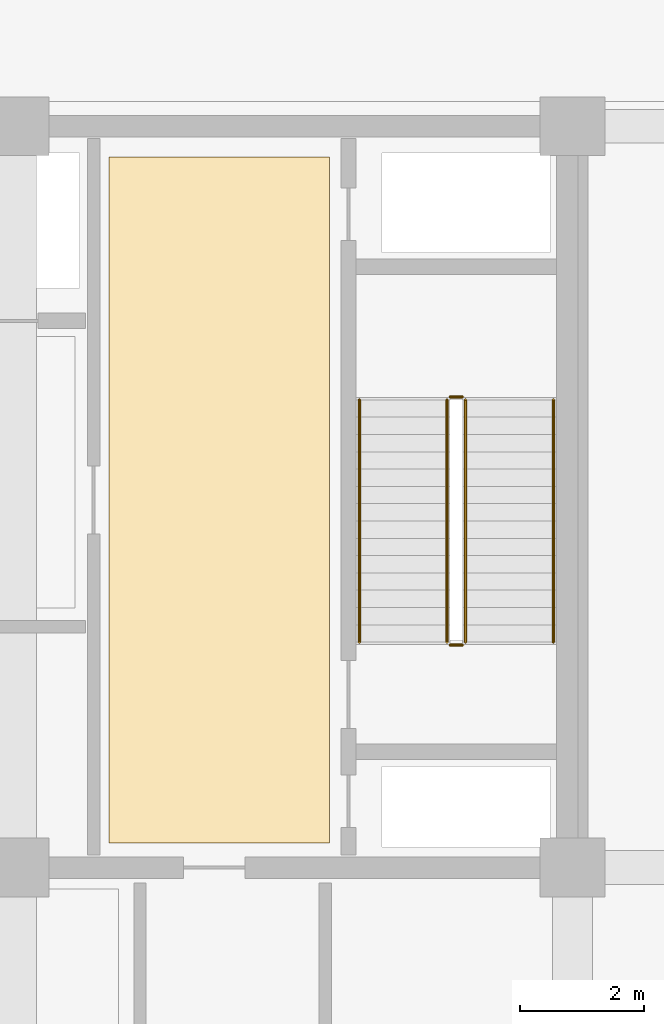
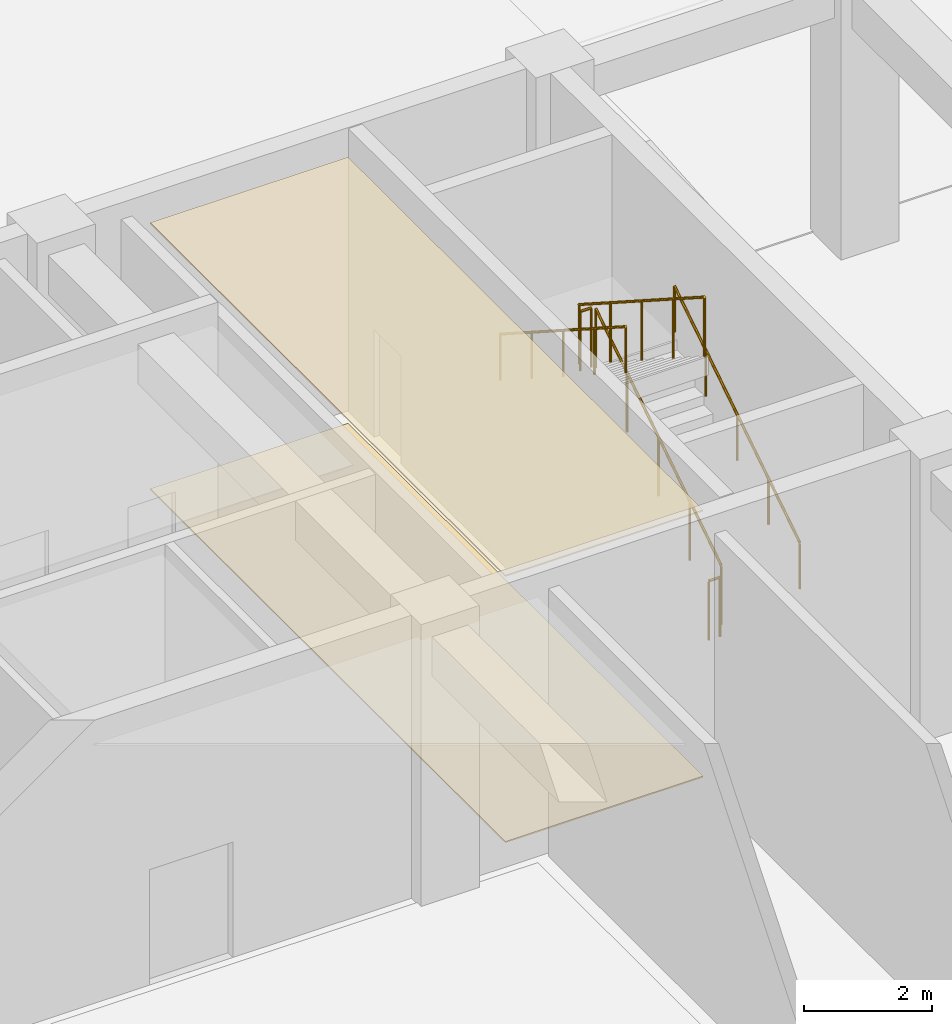
# One storey, part 37 of 46: 6 railings, 2 coverings.
"""IFC4 building model written with IfcOpenShell, lengths in metres."""

from ifc_helpers import new_model, si_unit, direction, frame, origin, origin_2d, place, context, subcontext, project, spatial, polyline, circle, outline, extrude, material, layer, layer_set, type_object, element, save


model = new_model("IFC4")

# Units and contexts
model_context = context("Model", 3, precision=1e-05, world=origin(), true_north=direction((0.0, 1.0)))
body_context = subcontext(model_context, "Body", "Model", "MODEL_VIEW")
ifc_project = project(units=[si_unit("LENGTHUNIT", "METRE"), si_unit("AREAUNIT", "SQUARE_METRE"), si_unit("VOLUMEUNIT", "CUBIC_METRE"), si_unit("PLANEANGLEUNIT", "RADIAN"), si_unit("MASSUNIT", "GRAM", prefix="KILO")], contexts=[model_context])

# Site, building, storey
site_placement = place(None, origin())
site = spatial("IfcSite", under=ifc_project, at=site_placement, CompositionType="ELEMENT")
building_placement = place(site_placement, origin())
building = spatial("IfcBuilding", under=site, at=building_placement, Name="Korimba Cascade Residences", CompositionType="ELEMENT")
storey_placement = place(building_placement, origin())
storey = spatial("IfcBuildingStorey", under=building, at=storey_placement, Name="L00", CompositionType="ELEMENT", Elevation=0.0)

# Coverings
ifc_material_1 = material(Name="Perforated Acoustic Gypsum Ceiling", Category="gypsum")
ifc_layer_1 = layer(ifc_material_1, 0.02490234375)
ifc_layer_set_1 = layer_set([ifc_layer_1], Name="Perforated Acoustic Gypsum Ceiling")
covering_type_1 = type_object("IfcCoveringType", Name="COV-CLG-AC", PredefinedType="CEILING", material=ifc_layer_set_1)
covering_1_placement = place(storey_placement, frame((0.0, 0.0, 5.074951171875)))
element("IfcCovering", 1, at=covering_1_placement, inside=storey, type_object=covering_type_1, Name="L00 Suspended Acoustic Ceiling L00-EV2", PredefinedType="CEILING", context=body_context, shape_type="SweptSolid", body=[
    extrude(outline(polyline([(110.60009765625, 18.800048828125), (114.169921875, 18.800048828125), (114.169921875, 29.89990234375), (110.60009765625, 29.89990234375), (110.60009765625, 18.800048828125)])), origin(), (0.0, 0.0, 1.0), 0.025146484375),
])
ifc_material_2 = material(Name="Honed Travertine Stone Flooring", Category="masonry")
ifc_layer_2 = layer(ifc_material_2, 0.02490234375)
ifc_layer_set_2 = layer_set([ifc_layer_2], Name="Honed Travertine Stone Flooring")
covering_type_2 = type_object("IfcCoveringType", Name="COV-FLR-STN", PredefinedType="FLOORING", material=ifc_layer_set_2)
covering_2_placement = place(storey_placement, origin())
element("IfcCovering", 2, at=covering_2_placement, inside=storey, type_object=covering_type_2, Name="L00 Honed Travertine Stone Flooring L00-EV2", PredefinedType="FLOORING", context=body_context, shape_type="SweptSolid", body=[
    extrude(outline(polyline([(110.60009765625, 18.800048828125), (114.169921875, 18.800048828125), (114.169921875, 29.89990234375), (110.60009765625, 29.89990234375), (110.60009765625, 18.800048828125)])), origin(), (0.0, 0.0, 1.0), 0.02490234375),
])

# Railings
ifc_material_3 = material(Name="Painted Steel Stairwell Guardrail", Category="steel")
railing_type_1 = type_object("IfcRailingType", Name="RLG-ST-GD1150", PredefinedType="GUARDRAIL", material=ifc_material_3)
railing_1_placement = place(storey_placement, frame((116.3701171875, 22.050048828125, 0.179931640625)))
element("IfcRailing", 3, at=railing_1_placement, inside=storey, type_object=railing_type_1, Name="L00 ST-E2 stair guard 1", PredefinedType="GUARDRAIL", context=body_context, shape_type="SweptSolid", body=[
    extrude(circle(Radius=0.02392578125, at=origin_2d()), frame((0.0, 0.0, 1.1259765625), z_axis=(0.0, 0.841171666519, 0.540768182723), x_axis=(-1.0, 0.0, 0.0)), (0.0, 0.0, 1.0), 4.66015625),
    extrude(circle(Radius=0.02099609375, at=origin_2d()), origin(), (0.0, 0.0, 1.0), 1.101806640625),
    extrude(circle(Radius=0.02099609375, at=origin_2d()), frame((0.0, 0.97998046875, 0.6298828125)), (0.0, 0.0, 1.0), 1.101806640625),
    extrude(circle(Radius=0.02099609375, at=origin_2d()), frame((0.0, 1.9599609375, 1.260009765625)), (0.0, 0.0, 1.0), 1.101806640625),
    extrude(circle(Radius=0.02099609375, at=origin_2d()), frame((0.0, 2.93994140625, 1.89013671875)), (0.0, 0.0, 1.0), 1.101806640625),
    extrude(circle(Radius=0.02099609375, at=origin_2d()), frame((0.0, 3.919921875, 2.52001953125)), (0.0, 0.0, 1.0), 1.101806640625),
])
railing_2_placement = place(storey_placement, frame((116.320068359375, 26.02001953125, 2.699951171875)))
element("IfcRailing", 4, at=railing_2_placement, inside=storey, type_object=railing_type_1, Name="L00 ST-E2 stair guard 2", PredefinedType="GUARDRAIL", context=body_context, shape_type="SweptSolid", body=[
    extrude(circle(Radius=0.02392578125, at=origin_2d()), frame((0.0, 0.0, 1.1259765625), z_axis=(-1.0, 0.0, 0.0), x_axis=(0.0, -1.0, 0.0)), (0.0, 0.0, 1.0), 0.199951171875),
    extrude(circle(Radius=0.02099609375, at=origin_2d()), origin(), (0.0, 0.0, 1.0), 1.101806640625),
    extrude(circle(Radius=0.02099609375, at=origin_2d()), frame((-0.199951171875, 0.0, 0.0)), (0.0, 0.0, 1.0), 1.101806640625),
])
railing_3_placement = place(storey_placement, frame((116.070068359375, 25.969970703125, 2.8798828125)))
element("IfcRailing", 5, at=railing_3_placement, inside=storey, type_object=railing_type_1, Name="L00 ST-E2 stair guard 3", PredefinedType="GUARDRAIL", context=body_context, shape_type="SweptSolid", body=[
    extrude(circle(Radius=0.02392578125, at=origin_2d()), frame((0.0, 0.0, 1.1259765625), z_axis=(0.0, -0.841171666519, 0.540768182723), x_axis=(1.0, 0.0, 0.0)), (0.0, 0.0, 1.0), 4.66015625),
    extrude(circle(Radius=0.02099609375, at=origin_2d()), origin(), (0.0, 0.0, 1.0), 1.101806640625),
    extrude(circle(Radius=0.02099609375, at=origin_2d()), frame((0.0, -0.97998046875, 0.6298828125)), (0.0, 0.0, 1.0), 1.101806640625),
    extrude(circle(Radius=0.02099609375, at=origin_2d()), frame((0.0, -1.9599609375, 1.260009765625)), (0.0, 0.0, 1.0), 1.101806640625),
    extrude(circle(Radius=0.02099609375, at=origin_2d()), frame((0.0, -2.93994140625, 1.89013671875)), (0.0, 0.0, 1.0), 1.101806640625),
    extrude(circle(Radius=0.02099609375, at=origin_2d()), frame((0.0, -3.919921875, 2.52001953125)), (0.0, 0.0, 1.0), 1.101806640625),
])
railing_4_placement = place(storey_placement, frame((116.320068359375, 22.0, 0.0)))
element("IfcRailing", 6, at=railing_4_placement, inside=storey, type_object=railing_type_1, Name="L00 ST-E2 stair guard 4", PredefinedType="GUARDRAIL", context=body_context, shape_type="SweptSolid", body=[
    extrude(circle(Radius=0.02392578125, at=origin_2d()), frame((0.0, 0.0, 1.1259765625), z_axis=(-1.0, 0.0, 0.0), x_axis=(0.0, -1.0, 0.0)), (0.0, 0.0, 1.0), 0.199951171875),
    extrude(circle(Radius=0.02099609375, at=origin_2d()), origin(), (0.0, 0.0, 1.0), 1.101806640625),
    extrude(circle(Radius=0.02099609375, at=origin_2d()), frame((-0.199951171875, 0.0, 0.0)), (0.0, 0.0, 1.0), 1.101806640625),
])
ifc_material_4 = material(Name="Brushed Stainless Steel Handrail", Category="steel")
railing_type_2 = type_object("IfcRailingType", Name="RLG-ST-HR900", PredefinedType="HANDRAIL", material=ifc_material_4)
railing_5_placement = place(storey_placement, frame((117.7900390625, 22.050048828125, 0.36376953125)))
element("IfcRailing", 7, at=railing_5_placement, inside=storey, type_object=railing_type_2, Name="L00 ST-E2 stair handrail 1", PredefinedType="HANDRAIL", context=body_context, shape_type="SweptSolid", body=[
    extrude(circle(Radius=0.02392578125, at=origin_2d()), frame((0.0, 0.0, 0.8759765625), z_axis=(0.0, 0.841171666519, 0.540768182723), x_axis=(-1.0, 0.0, 0.0)), (0.0, 0.0, 1.0), 4.66015625),
    extrude(circle(Radius=0.02099609375, at=origin_2d()), origin(), (0.0, 0.0, 1.0), 0.851806640625),
    extrude(circle(Radius=0.02099609375, at=origin_2d()), frame((0.0, 0.97998046875, 0.6298828125)), (0.0, 0.0, 1.0), 0.851806640625),
    extrude(circle(Radius=0.02099609375, at=origin_2d()), frame((0.0, 1.9599609375, 1.260009765625)), (0.0, 0.0, 1.0), 0.851806640625),
    extrude(circle(Radius=0.02099609375, at=origin_2d()), frame((0.0, 2.93994140625, 1.89013671875)), (0.0, 0.0, 1.0), 0.851806640625),
    extrude(circle(Radius=0.02099609375, at=origin_2d()), frame((0.0, 3.919921875, 2.52001953125)), (0.0, 0.0, 1.0), 0.851806640625),
])
railing_6_placement = place(storey_placement, frame((114.64990234375, 25.969970703125, 3.063720703125)))
element("IfcRailing", 8, at=railing_6_placement, inside=storey, type_object=railing_type_2, Name="L00 ST-E2 stair handrail 2", PredefinedType="HANDRAIL", context=body_context, shape_type="SweptSolid", body=[
    extrude(circle(Radius=0.02392578125, at=origin_2d()), frame((0.0, 0.0, 0.8759765625), z_axis=(0.0, -0.841171666519, 0.540768182723), x_axis=(1.0, 0.0, 0.0)), (0.0, 0.0, 1.0), 4.66015625),
    extrude(circle(Radius=0.02099609375, at=origin_2d()), origin(), (0.0, 0.0, 1.0), 0.851806640625),
    extrude(circle(Radius=0.02099609375, at=origin_2d()), frame((0.0, -0.97998046875, 0.6298828125)), (0.0, 0.0, 1.0), 0.851806640625),
    extrude(circle(Radius=0.02099609375, at=origin_2d()), frame((0.0, -1.9599609375, 1.260009765625)), (0.0, 0.0, 1.0), 0.851806640625),
    extrude(circle(Radius=0.02099609375, at=origin_2d()), frame((0.0, -2.93994140625, 1.89013671875)), (0.0, 0.0, 1.0), 0.851806640625),
    extrude(circle(Radius=0.02099609375, at=origin_2d()), frame((0.0, -3.919921875, 2.52001953125)), (0.0, 0.0, 1.0), 0.851806640625),
])

save(model, "model.ifc")
